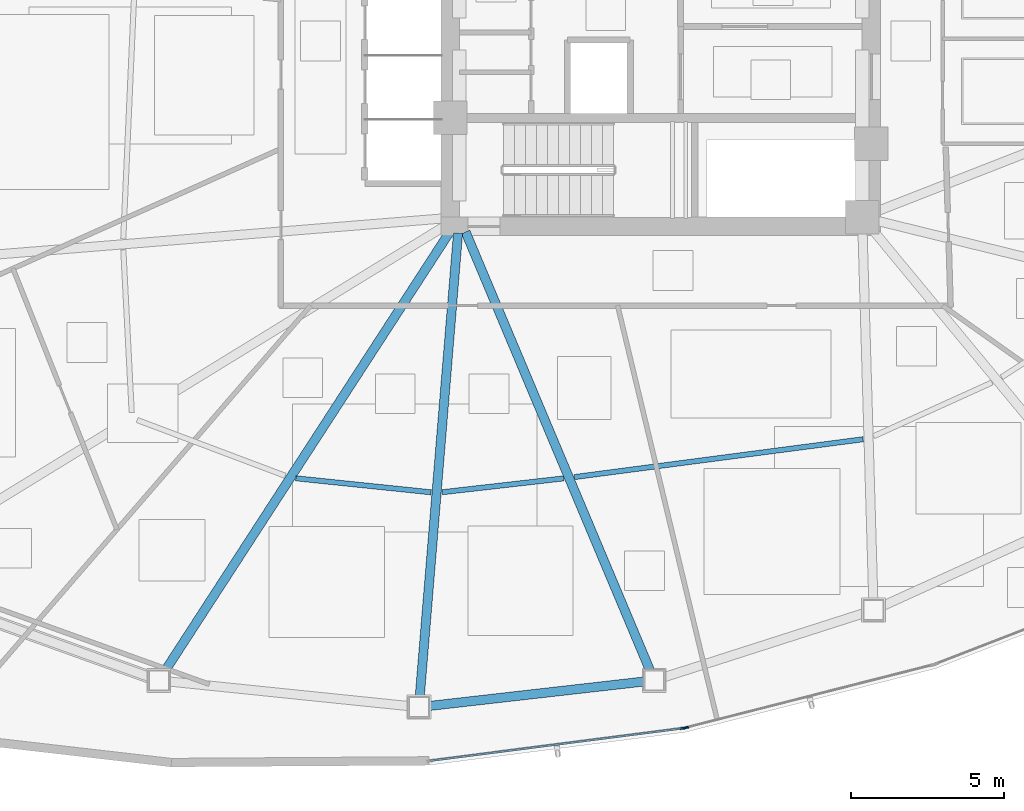
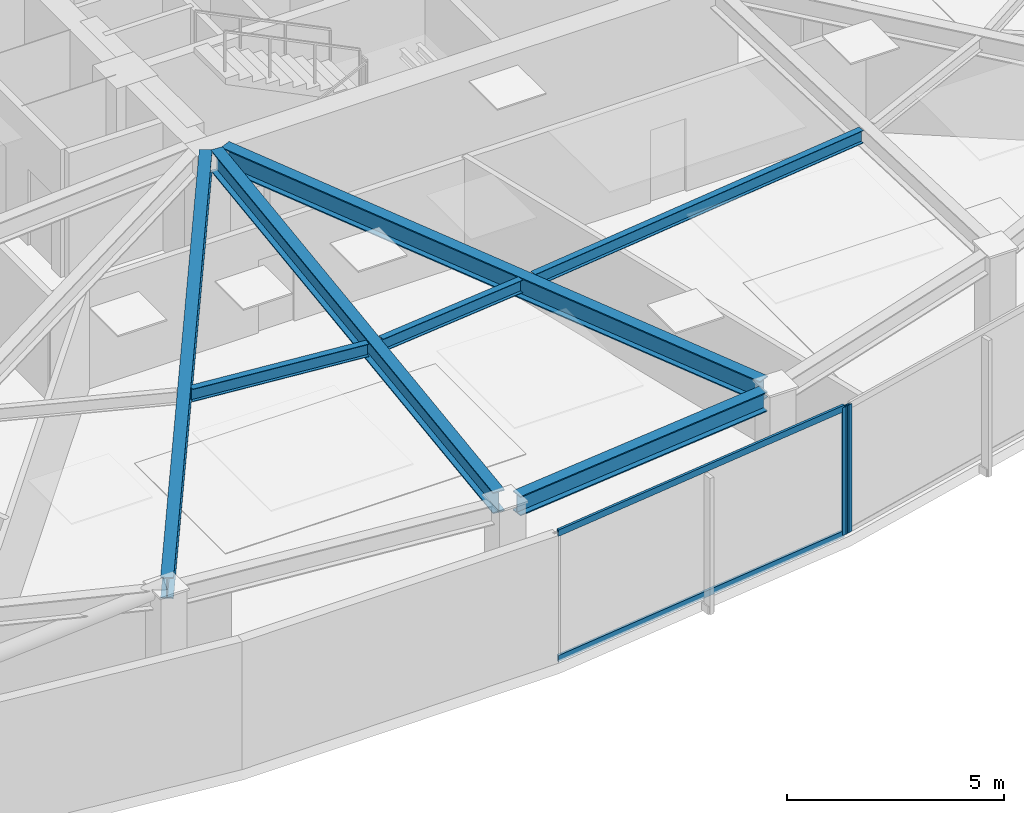
# One storey, part 3 of 17: 7 beams, 4 members, 2 elements without a shape of their own.
"""IFC4 building model written with IfcOpenShell, lengths in metres."""

from ifc_helpers import new_model, si_unit, direction, frame, origin, origin_2d, place, context, subcontext, project, spatial, hollow_rectangle, i_section, extrude, source, transform, mapped, material, layer, layer_set, material_profile, profile_set, type_object, type_shapes, element, aggregate, save


model = new_model("IFC4")

# Units and contexts
model_context = context("Model", 3, precision=1e-05, world=origin(), true_north=direction((0.0, 1.0)))
body_context = subcontext(model_context, "Body", "Model", "MODEL_VIEW")
ifc_project = project(units=[si_unit("LENGTHUNIT", "METRE"), si_unit("AREAUNIT", "SQUARE_METRE"), si_unit("VOLUMEUNIT", "CUBIC_METRE"), si_unit("PLANEANGLEUNIT", "RADIAN"), si_unit("MASSUNIT", "GRAM", prefix="KILO")], contexts=[model_context])

# Site, building, storey
site_placement = place(None, origin())
site = spatial("IfcSite", under=ifc_project, at=site_placement, CompositionType="ELEMENT")
building_placement = place(site_placement, origin())
building = spatial("IfcBuilding", under=site, at=building_placement, Name="Tavelor Broadcast Tower", CompositionType="ELEMENT")
storey_placement = place(building_placement, frame((0.0, 0.0, 70.5)))
storey = spatial("IfcBuildingStorey", under=building, at=storey_placement, Name="L16", CompositionType="ELEMENT", Elevation=70.5)

# Beams
ifc_material_1 = material(Name="Steel S355", Category="steel")
ifc_material_profile_1 = material_profile(ifc_material_1, i_section(OverallWidth=0.169921875, OverallDepth=0.360107421875, WebThickness=0.008056640625, FlangeThickness=0.0126953125, at=origin_2d()), Name="IPE 360")
ifc_profile_set_1 = profile_set([ifc_material_profile_1], Name="Steel S355")
beam_type_1 = type_object("IfcBeamType", Name="Composite Floor Joist T2 IPE 360", PredefinedType="JOIST", material=ifc_profile_set_1)
beam_1_placement = place(storey_placement, frame((38.04052734375, 30.240966796875, 3.419921875), z_axis=(0.99467108558, -0.103099134387, 0.0), x_axis=(0.103099134387, 0.99467108558, 0.0)))
element("IfcBeam", 1, at=beam_1_placement, inside=storey, type_object=beam_type_1, Name="L16 Secondary Composite Floor Joist 08", PredefinedType="JOIST", context=body_context, shape_type="SweptSolid", body=[
    extrude(i_section(OverallWidth=0.169921875, OverallDepth=0.360107421875, WebThickness=0.008056640625, FlangeThickness=0.0126953125, at=origin_2d()), origin(), (0.0, 0.0, 1.0), 4.45654296875),
])
beam_2_placement = place(storey_placement, frame((42.833251953125, 29.783203125, 3.419921875), z_axis=(0.993569155888, 0.113226906995, 0.0), x_axis=(-0.113226906995, 0.993569155888, 0.0)))
element("IfcBeam", 2, at=beam_2_placement, inside=storey, type_object=beam_type_1, Name="L16 Secondary Composite Floor Joist 09", PredefinedType="JOIST", context=body_context, shape_type="SweptSolid", body=[
    extrude(i_section(OverallWidth=0.169921875, OverallDepth=0.360107421875, WebThickness=0.008056640625, FlangeThickness=0.0126953125, at=origin_2d()), origin(), (0.0, 0.0, 1.0), 4.00634765625),
])
beam_3_placement = place(storey_placement, frame((47.173095703125, 30.281005859375, 3.419921875), z_axis=(0.991523318151, 0.129928863469, 0.0), x_axis=(-0.129928863469, 0.991523318151, 0.0)))
element("IfcBeam", 3, at=beam_3_placement, inside=storey, type_object=beam_type_1, Name="L16 Secondary Composite Floor Joist 10", PredefinedType="JOIST", context=body_context, shape_type="SweptSolid", body=[
    extrude(i_section(OverallWidth=0.169921875, OverallDepth=0.360107421875, WebThickness=0.008056640625, FlangeThickness=0.0126953125, at=origin_2d()), origin(), (0.0, 0.0, 1.0), 9.539794921875),
])
ifc_material_profile_2 = material_profile(ifc_material_1, i_section(OverallWidth=0.300048828125, OverallDepth=0.550048828125, WebThickness=0.014892578125, FlangeThickness=0.029052734375, at=origin_2d()), Name="HEB 550")
ifc_profile_set_2 = profile_set([ifc_material_profile_2], Name="Steel S355")
beam_type_2 = type_object("IfcBeamType", Name="Perimeter Spandrel Beam T2 HEB 550", PredefinedType="SPANDREL", material=ifc_profile_set_2)
beam_4_placement = place(storey_placement, frame((42.406982421875, 22.778564453125, 3.324951171875), z_axis=(0.993591905029, 0.113027104096, 0.0), x_axis=(-0.113027104096, 0.993591905029, 0.0)))
element("IfcBeam", 4, at=beam_4_placement, inside=storey, type_object=beam_type_2, Name="L16 Framed-Tube Ring Spandrel 09", PredefinedType="SPANDREL", context=body_context, shape_type="SweptSolid", body=[
    extrude(i_section(OverallWidth=0.300048828125, OverallDepth=0.550048828125, WebThickness=0.014892578125, FlangeThickness=0.029052734375, at=origin_2d()), origin(), (0.0, 0.0, 1.0), 7.09130859375),
])
ifc_material_profile_3 = material_profile(ifc_material_1, i_section(OverallWidth=0.300048828125, OverallDepth=0.60009765625, WebThickness=0.015380859375, FlangeThickness=0.030029296875, at=origin_2d()), Name="HEB 600")
ifc_profile_set_3 = profile_set([ifc_material_profile_3], Name="Steel S355")
beam_type_3 = type_object("IfcBeamType", Name="Radial Floor Girder T2 HEB 600", PredefinedType="BEAM", material=ifc_profile_set_3)
beam_5_placement = place(storey_placement, frame((43.11279296875, 38.35693359375, 3.300048828125), z_axis=(-0.544192452451, -0.838960413068, 0.0), x_axis=(0.838960413068, -0.544192452451, 0.0)))
element("IfcBeam", 5, at=beam_5_placement, inside=storey, type_object=beam_type_3, Name="L16 Radial Primary Floor Girder 08", PredefinedType="BEAM", context=body_context, shape_type="SweptSolid", body=[
    extrude(i_section(OverallWidth=0.300048828125, OverallDepth=0.60009765625, WebThickness=0.015380859375, FlangeThickness=0.030029296875, at=origin_2d()), origin(), (0.0, 0.0, 1.0), 17.235107421875),
])
beam_6_placement = place(storey_placement, frame((43.3564453125, 38.273681640625, 3.300048828125), z_axis=(-0.082335312762, -0.996604684051, 0.0), x_axis=(0.996604684051, -0.082335312762, 0.0)))
element("IfcBeam", 6, at=beam_6_placement, inside=storey, type_object=beam_type_3, Name="L16 Radial Primary Floor Girder 09", PredefinedType="BEAM", context=body_context, shape_type="SweptSolid", body=[
    extrude(i_section(OverallWidth=0.300048828125, OverallDepth=0.60009765625, WebThickness=0.015380859375, FlangeThickness=0.030029296875, at=origin_2d()), origin(), (0.0, 0.0, 1.0), 15.25),
])
beam_7_placement = place(storey_placement, frame((43.604736328125, 38.313232421875, 3.300048828125), z_axis=(0.387755556571, -0.921762240683, 0.0), x_axis=(0.921762240683, 0.387755556571, 0.0)))
element("IfcBeam", 7, at=beam_7_placement, inside=storey, type_object=beam_type_3, Name="L16 Radial Primary Floor Girder 10", PredefinedType="BEAM", context=body_context, shape_type="SweptSolid", body=[
    extrude(i_section(OverallWidth=0.300048828125, OverallDepth=0.60009765625, WebThickness=0.015380859375, FlangeThickness=0.030029296875, at=origin_2d()), origin(), (0.0, 0.0, 1.0), 15.6064453125),
])

# Curtain wall, member
ifc_material_2 = material(Name="Architectural Anodized Aluminium", Category="aluminium")
ifc_layer = layer(ifc_material_2, 0.179931640625)
ifc_layer_set = layer_set([ifc_layer], Name="Architectural Anodized Aluminium")
curtain_wall_type = type_object("IfcCurtainWallType", Name="Tower Low-Zone Unitised Curtain Wall CW02", PredefinedType="NOTDEFINED", material=ifc_layer_set)
curtain_wall_1_placement = place(storey_placement, origin())
curtain_wall_1 = element("IfcCurtainWall", 8, at=curtain_wall_1_placement, inside=storey, type_object=curtain_wall_type, Name="L16 Curtain Wall CW02 Run 149", PredefinedType="NOTDEFINED")
ifc_material_profile_4 = material_profile(ifc_material_2, hollow_rectangle(XDim=0.06494140625, YDim=0.179931640625, WallThickness=0.02197265625, at=origin_2d()), Name="RHS 65x180x22")
ifc_profile_set_4 = profile_set([ifc_material_profile_4], Name="Architectural Anodized Aluminium")
member_type_1 = type_object("IfcMemberType", Name="CW02 Extruded Aluminium Mullion 65x180", PredefinedType="MULLION", material=ifc_profile_set_4)
shared_shape_1 = source(origin(), body_context, "Body", "SweptSolid", [
    extrude(hollow_rectangle(XDim=0.06494140625, YDim=0.179931640625, WallThickness=0.02197265625, at=origin_2d()), origin(), (0.0, 0.0, 1.0), 3.60009765625),
])
type_shapes(member_type_1, [shared_shape_1])
member_1_placement = place(storey_placement, frame((50.72998046875, 22.048095703125, 0.0), z_axis=(0.0, 0.0, 1.0), x_axis=(-0.127501413018, 0.991838388891, 0.0)))
member_1 = element("IfcMember", 9, at=member_1_placement, type_object=member_type_1, Name="CW02 mullion 2", PredefinedType="MULLION", context=body_context, shape_type="MappedRepresentation", body=[
    mapped(shared_shape_1, transform((0.0, 0.0, 0.0), scale=1.0)),
])

curtain_wall_2_placement = place(storey_placement, origin())
curtain_wall_2 = element("IfcCurtainWall", 10, at=curtain_wall_2_placement, inside=storey, type_object=curtain_wall_type, Name="L16 Curtain Wall CW02 Run 150", PredefinedType="NOTDEFINED")
member_2_placement = place(storey_placement, frame((50.8232421875, 22.06591796875, 0.0), z_axis=(0.0, 0.0, 1.0), x_axis=(-0.246575023784, 0.969123706059, 0.0)))
member_2 = element("IfcMember", 11, at=member_2_placement, type_object=member_type_1, Name="CW02 mullion 1", PredefinedType="MULLION", context=body_context, shape_type="MappedRepresentation", body=[
    mapped(shared_shape_1, transform((0.0, 0.0, 0.0), scale=1.0)),
])
aggregate(curtain_wall_2, [member_2])

# Member
ifc_material_profile_5 = material_profile(ifc_material_2, hollow_rectangle(XDim=0.06494140625, YDim=0.179931640625, WallThickness=0.02197265625, at=origin_2d()), Name="RHS 65x180x22")
ifc_profile_set_5 = profile_set([ifc_material_profile_5], Name="Architectural Anodized Aluminium")
member_type_2 = type_object("IfcMemberType", Name="CW02 Extruded Aluminium Transom 65x180", PredefinedType="USERDEFINED", material=ifc_profile_set_5)
shared_shape_2 = source(origin(), body_context, "Body", "SweptSolid", [
    extrude(hollow_rectangle(XDim=0.06494140625, YDim=0.179931640625, WallThickness=0.02197265625, at=origin_2d()), origin(), (0.0, 0.0, 1.0), 8.3037109375),
])
type_shapes(member_type_2, [shared_shape_2])
member_3_placement = place(storey_placement, frame((42.4619140625, 20.985107421875, 0.032470703125), z_axis=(0.991836625284, 0.127515131436, 0.0), x_axis=(-0.127515131436, 0.991836625284, 0.0)))
member_3 = element("IfcMember", 12, at=member_3_placement, type_object=member_type_2, Name="CW02 transom 1.1", ObjectType="TRANSOM", PredefinedType="USERDEFINED", context=body_context, shape_type="MappedRepresentation", body=[
    mapped(shared_shape_2, transform((0.0, 0.0, 0.0), scale=1.0)),
])

member_4_placement = place(storey_placement, frame((42.4619140625, 20.985107421875, 3.5673828125), z_axis=(0.991836625284, 0.127515131436, 0.0), x_axis=(-0.127515131436, 0.991836625284, 0.0)))
member_4 = element("IfcMember", 13, at=member_4_placement, type_object=member_type_2, Name="CW02 transom 1.2", ObjectType="TRANSOM", PredefinedType="USERDEFINED", context=body_context, shape_type="MappedRepresentation", body=[
    mapped(shared_shape_2, transform((0.0, 0.0, 0.0), scale=1.0)),
])

aggregate(curtain_wall_1, [member_1, member_3, member_4])

save(model, "model.ifc")
